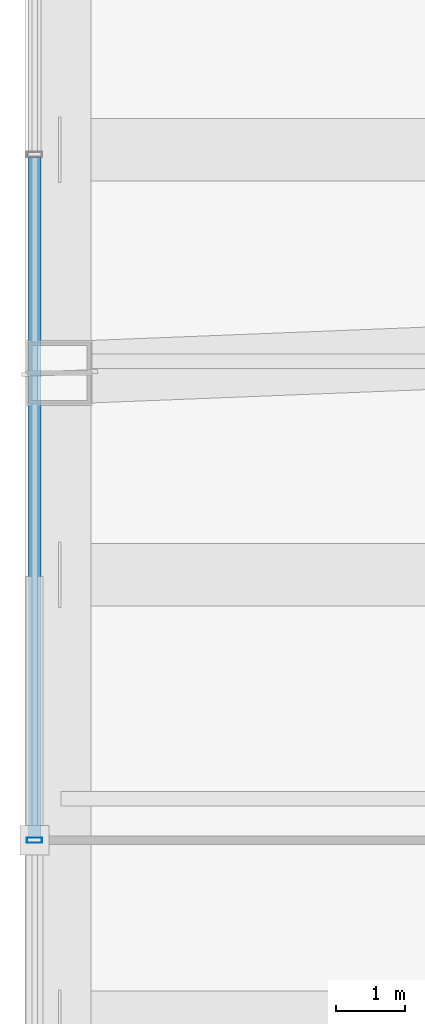
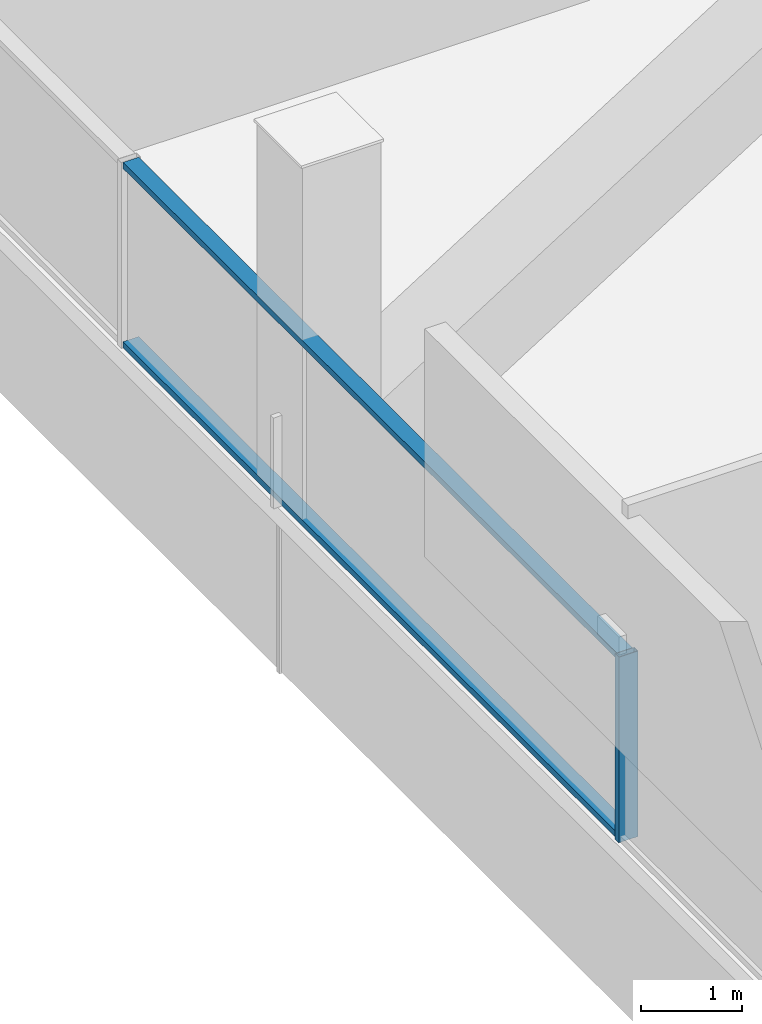
# One storey, part 8 of 38: 3 members, 1 element without a shape of its own.
"""IFC4 building model written with IfcOpenShell, lengths in metres."""

from ifc_helpers import new_model, si_unit, direction, frame, origin, origin_2d, place, context, subcontext, project, spatial, hollow_rectangle, extrude, material, layer, layer_set, material_profile, profile_set, type_object, element, aggregate, save


model = new_model("IFC4")

# Units and contexts
model_context = context("Model", 3, precision=1e-05, world=origin(), true_north=direction((0.0, 1.0)))
body_context = subcontext(model_context, "Body", "Model", "MODEL_VIEW")
ifc_project = project(units=[si_unit("LENGTHUNIT", "METRE"), si_unit("AREAUNIT", "SQUARE_METRE"), si_unit("VOLUMEUNIT", "CUBIC_METRE"), si_unit("PLANEANGLEUNIT", "RADIAN"), si_unit("MASSUNIT", "GRAM", prefix="KILO")], contexts=[model_context])

# Site, building, storey
site_placement = place(None, origin())
site = spatial("IfcSite", under=ifc_project, at=site_placement, CompositionType="ELEMENT")
building_placement = place(site_placement, origin())
building = spatial("IfcBuilding", under=site, at=building_placement, Name="Qhalaya Broadcast Tower", CompositionType="ELEMENT")
storey_placement = place(building_placement, frame((0.0, 0.0, 53.550048828125)))
storey = spatial("IfcBuildingStorey", under=building, at=storey_placement, Name="L15", CompositionType="ELEMENT", Elevation=53.550048828125)

# Curtain wall, members
ifc_material_1 = material(Name="Fired Architectural Terracotta", Category="masonry")
ifc_layer = layer(ifc_material_1, 0.219970703125, Name="Fired Architectural Terracotta")
ifc_layer_set = layer_set([ifc_layer], Name="Fired Architectural Terracotta")
curtain_wall_type = type_object("IfcCurtainWallType", Name="Block-Cap Unitised Terracotta Spandrel Wall CW-07", PredefinedType="NOTDEFINED", material=ifc_layer_set)
curtain_wall_placement = place(storey_placement, origin())
curtain_wall = element("IfcCurtainWall", 1, at=curtain_wall_placement, inside=storey, type_object=curtain_wall_type, Name="L15 Unitised Curtain Wall L15-CW-W", PredefinedType="NOTDEFINED")
ifc_material_2 = material(Name="Anodised Aluminium 6063-T6", Category="aluminium")
ifc_material_profile_1 = material_profile(ifc_material_2, hollow_rectangle(XDim=0.074951171875, YDim=0.219970703125, WallThickness=0.00390625, at=origin_2d()), Name="ALU-MUL 75x220x4")
ifc_profile_set_1 = profile_set([ifc_material_profile_1], Name="Anodised Aluminium 6063-T6")
member_type_1 = type_object("IfcMemberType", Name="Unitised Curtain-Wall Mullion M01", PredefinedType="MULLION", material=ifc_profile_set_1)
member_1_placement = place(storey_placement, frame((-26.260009765625, 0.0, 0.0), z_axis=(0.0, 0.0, 1.0), x_axis=(0.0, 1.0, 0.0)))
member_1 = element("IfcMember", 2, at=member_1_placement, type_object=member_type_1, Name="CW-07 mullion 3", PredefinedType="MULLION", context=body_context, shape_type="SweptSolid", body=[
    extrude(hollow_rectangle(XDim=0.074951171875, YDim=0.219970703125, WallThickness=0.00390625, at=origin_2d()), origin(), (0.0, 0.0, 1.0), 2.25),
])
ifc_material_profile_2 = material_profile(ifc_material_2, hollow_rectangle(XDim=0.074951171875, YDim=0.179931640625, WallThickness=0.00390625, at=origin_2d()), Name="ALU-TRN 75x180x4")
ifc_profile_set_2 = profile_set([ifc_material_profile_2], Name="Anodised Aluminium 6063-T6")
member_type_2 = type_object("IfcMemberType", Name="Unitised Curtain-Wall Transom T01", PredefinedType="USERDEFINED", material=ifc_profile_set_2)
member_2_placement = place(storey_placement, frame((-26.260009765625, 0.03759765625, 0.037353515625), z_axis=(0.0, 1.0, 0.0), x_axis=(0.0, 0.0, 1.0)))
member_2 = element("IfcMember", 3, at=member_2_placement, type_object=member_type_2, Name="CW-07 transom 3.1", ObjectType="TRANSOM", PredefinedType="USERDEFINED", context=body_context, shape_type="SweptSolid", body=[
    extrude(hollow_rectangle(XDim=0.074951171875, YDim=0.179931640625, WallThickness=0.00390625, at=origin_2d()), origin(), (0.0, 0.0, 1.0), 9.805908203125),
])
member_3_placement = place(storey_placement, frame((-26.260009765625, 0.03759765625, 2.21240234375), z_axis=(0.0, 1.0, 0.0), x_axis=(0.0, 0.0, 1.0)))
member_3 = element("IfcMember", 4, at=member_3_placement, type_object=member_type_2, Name="CW-07 transom 3.2", ObjectType="TRANSOM", PredefinedType="USERDEFINED", context=body_context, shape_type="SweptSolid", body=[
    extrude(hollow_rectangle(XDim=0.074951171875, YDim=0.179931640625, WallThickness=0.00390625, at=origin_2d()), origin(), (0.0, 0.0, 1.0), 9.805908203125),
])
aggregate(curtain_wall, [member_1, member_2, member_3])

save(model, "model.ifc")
